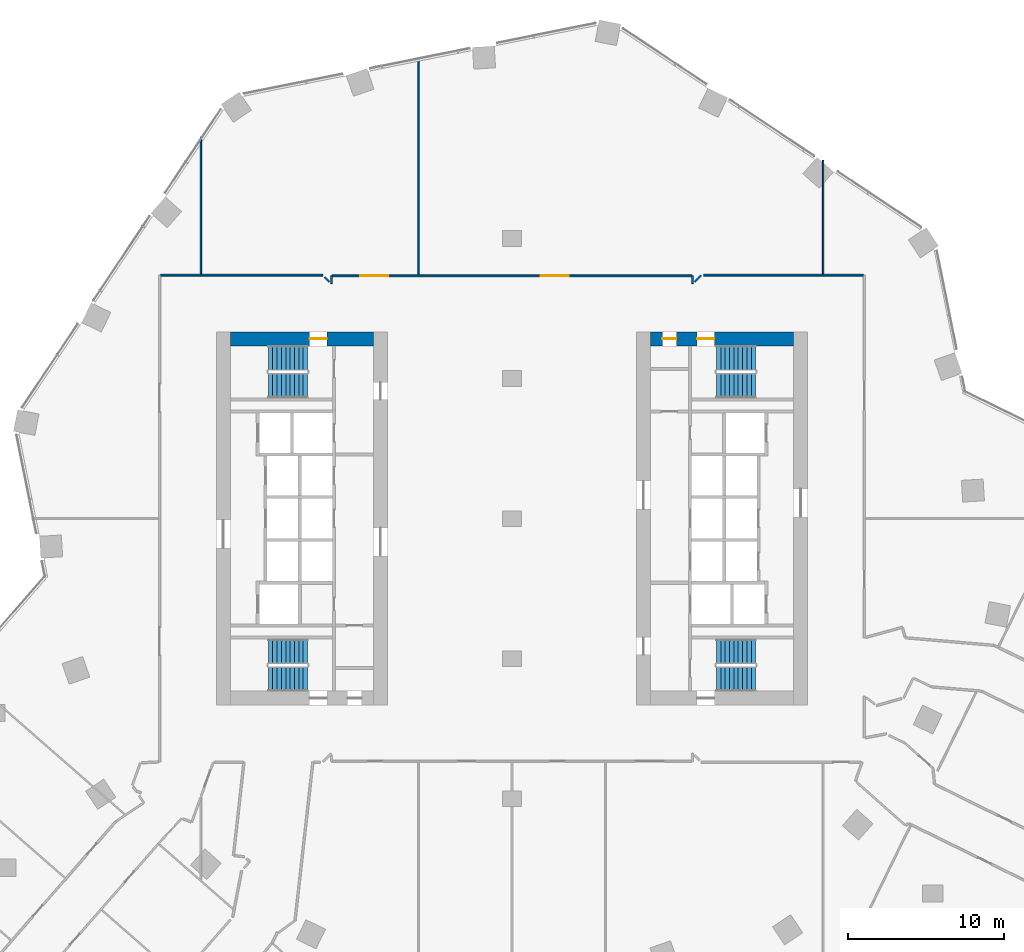
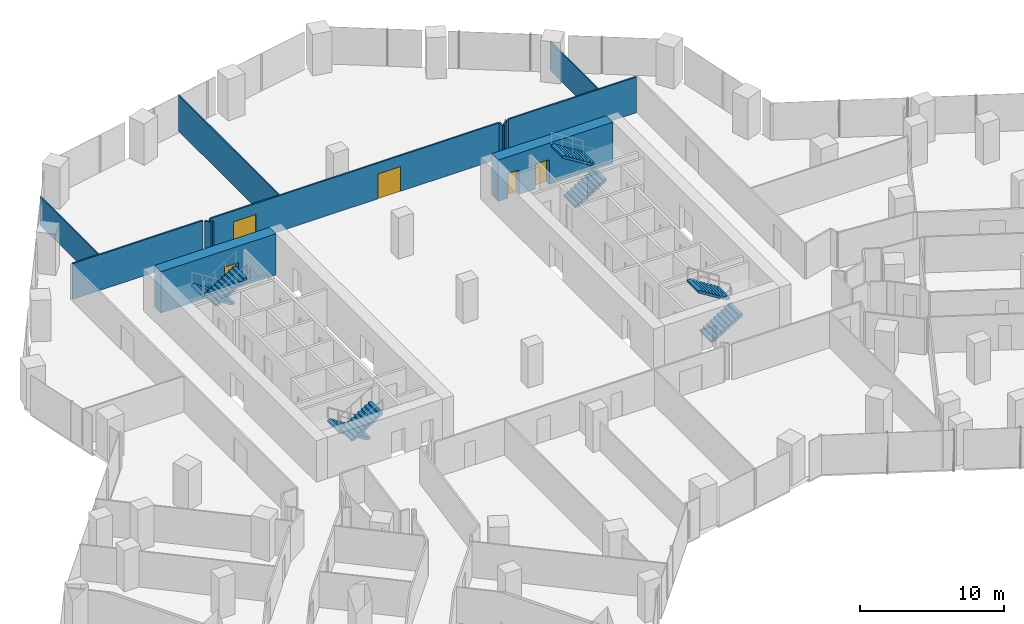
# One storey, part 32 of 38: 12 walls, 8 stair flights, 5 doors, 5 openings, 4 elements without a shape of their own.
"""IFC4 building model written with IfcOpenShell, lengths in metres."""

from ifc_helpers import new_model, si_unit, direction, frame, frame_2d, origin, place, context, subcontext, project, spatial, polyline, rectangle, outline, extrude, material, layer, layer_set, type_object, element, fill, aggregate, save


model = new_model("IFC4")

# Units and contexts
model_context = context("Model", 3, precision=1e-05, world=origin(), true_north=direction((0.0, 1.0)))
body_context = subcontext(model_context, "Body", "Model", "MODEL_VIEW")
ifc_project = project(units=[si_unit("LENGTHUNIT", "METRE"), si_unit("AREAUNIT", "SQUARE_METRE"), si_unit("VOLUMEUNIT", "CUBIC_METRE"), si_unit("PLANEANGLEUNIT", "RADIAN"), si_unit("MASSUNIT", "GRAM", prefix="KILO")], contexts=[model_context])

# Site, building, storey
site_placement = place(None, origin())
site = spatial("IfcSite", under=ifc_project, at=site_placement, CompositionType="ELEMENT")
building_placement = place(site_placement, origin())
building = spatial("IfcBuilding", under=site, at=building_placement, Name="Orlundy Tower", CompositionType="ELEMENT")
storey_placement = place(building_placement, frame((0.0, 0.0, 69.300048828125)))
storey = spatial("IfcBuildingStorey", under=building, at=storey_placement, Name="L16", CompositionType="ELEMENT", Elevation=69.300048828125)

# Wall, opening, door
ifc_material_1 = material(Name="Concrete C80/95", Category="concrete")
ifc_layer_1 = layer(ifc_material_1, 0.89990234375)
ifc_layer_set_1 = layer_set([ifc_layer_1], Name="CORE WALL 900 C80/95")
wall_type_1 = type_object("IfcWallType", Name="CORE WALL 900 C80/95", PredefinedType="SHEAR", material=ifc_layer_set_1)
wall_1_placement = place(storey_placement, frame((-18.10009765625, 11.550048828125, 0.0), z_axis=(0.0, 0.0, 1.0), x_axis=(1.0, 0.0, 0.0)))
wall_1 = element("IfcWall", 1, at=wall_1_placement, inside=storey, type_object=wall_type_1, Name="Core wall W-N L16", PredefinedType="SHEAR", context=body_context, shape_type="SweptSolid", body=[
    extrude(rectangle(XDim=9.2001953125, YDim=0.89990234375, at=frame_2d((4.60009765625, 0.0))), origin(), (0.0, 0.0, 1.0), 3.5),
])
opening_1_placement = place(wall_1_placement, frame((5.10009765625, 0.0, 0.0)))
opening_1 = element("IfcOpeningElement", 2, at=opening_1_placement, cuts=wall_1, Name="Opening 14012", PredefinedType="OPENING", context=body_context, shape_type="SweptSolid", body=[
    extrude(rectangle(XDim=1.10009765625, YDim=2.10009765625, at=frame_2d((0.550048828125, 1.050048828125))), frame((0.0, 0.4599609375, 0.0), z_axis=(0.0, -1.0, 0.0), x_axis=(1.0, 0.0, 0.0)), (0.0, 0.0, 1.0), 0.919921875),
])
ifc_material_2 = material(Name="Steel door set", Category="steel")
door_type_1 = type_object("IfcDoorType", Name="Stair Door 1100x2100", OperationType="SINGLE_SWING_LEFT", PredefinedType="DOOR", material=ifc_material_2)
door_1_placement = place(opening_1_placement, origin())
door_1 = element("IfcDoor", 3, at=door_1_placement, inside=storey, type_object=door_type_1, Name="Stair door 14012", OperationType="SINGLE_SWING_RIGHT", OverallHeight=2.10009765625, OverallWidth=1.10009765625, PredefinedType="DOOR", context=body_context, shape_type="SweptSolid", body=[
    extrude(rectangle(XDim=1.10009765625, YDim=2.10009765625, at=frame_2d((0.550048828125, 1.050048828125))), frame((0.0, 0.02490234375, 0.0), z_axis=(0.0, -1.0, 0.0), x_axis=(1.0, 0.0, 0.0)), (0.0, 0.0, 1.0), 0.050048828125),
])
fill(opening_1, door_1)

# Wall, openings, doors
wall_2_placement = place(storey_placement, frame((8.89990234375, 11.550048828125, 0.0), z_axis=(0.0, 0.0, 1.0), x_axis=(1.0, 0.0, 0.0)))
wall_2 = element("IfcWall", 4, at=wall_2_placement, inside=storey, type_object=wall_type_1, Name="Core wall E-N L16", PredefinedType="SHEAR", context=body_context, shape_type="SweptSolid", body=[
    extrude(rectangle(XDim=9.2001953125, YDim=0.89990234375, at=frame_2d((4.60009765625, 0.0))), origin(), (0.0, 0.0, 1.0), 3.5),
])
opening_2_placement = place(wall_2_placement, frame((3.0, 0.0, 0.0)))
opening_2 = element("IfcOpeningElement", 5, at=opening_2_placement, cuts=wall_2, Name="Opening 14062", PredefinedType="OPENING", context=body_context, shape_type="SweptSolid", body=[
    extrude(rectangle(XDim=1.10009765625, YDim=2.10009765625, at=frame_2d((0.550048828125, 1.050048828125))), frame((0.0, 0.4599609375, 0.0), z_axis=(0.0, -1.0, 0.0), x_axis=(1.0, 0.0, 0.0)), (0.0, 0.0, 1.0), 0.919921875),
])
opening_3_placement = place(wall_2_placement, frame((0.77001953125, 0.0, 0.0)))
opening_3 = element("IfcOpeningElement", 6, at=opening_3_placement, cuts=wall_2, Name="Opening 14064", PredefinedType="OPENING", context=body_context, shape_type="SweptSolid", body=[
    extrude(rectangle(XDim=0.89990234375, YDim=2.10009765625, at=frame_2d((0.449951171875, 1.050048828125))), frame((0.0, 0.4599609375, 0.0), z_axis=(0.0, -1.0, 0.0), x_axis=(1.0, 0.0, 0.0)), (0.0, 0.0, 1.0), 0.919921875),
])
ifc_material_3 = material(Name="Timber door set", Category="wood")
door_type_2 = type_object("IfcDoorType", Name="Room Door 900x2100", OperationType="SINGLE_SWING_LEFT", PredefinedType="DOOR", material=ifc_material_3)
door_2_placement = place(opening_3_placement, origin())
door_2 = element("IfcDoor", 7, at=door_2_placement, inside=storey, type_object=door_type_2, Name="Store door 14064", OperationType="SINGLE_SWING_LEFT", OverallHeight=2.10009765625, OverallWidth=0.89990234375, PredefinedType="DOOR", context=body_context, shape_type="SweptSolid", body=[
    extrude(rectangle(XDim=0.89990234375, YDim=2.10009765625, at=frame_2d((0.449951171875, 1.050048828125))), frame((0.0, 0.02490234375, 0.0), z_axis=(0.0, -1.0, 0.0), x_axis=(1.0, 0.0, 0.0)), (0.0, 0.0, 1.0), 0.050048828125),
])
fill(opening_3, door_2)
door_3_placement = place(opening_2_placement, origin())
door_3 = element("IfcDoor", 8, at=door_3_placement, inside=storey, type_object=door_type_1, Name="Stair door 14062", OperationType="SINGLE_SWING_LEFT", OverallHeight=2.10009765625, OverallWidth=1.10009765625, PredefinedType="DOOR", context=body_context, shape_type="SweptSolid", body=[
    extrude(rectangle(XDim=1.10009765625, YDim=2.10009765625, at=frame_2d((0.550048828125, 1.050048828125))), frame((0.0, 0.02490234375, 0.0), z_axis=(0.0, -1.0, 0.0), x_axis=(1.0, 0.0, 0.0)), (0.0, 0.0, 1.0), 0.050048828125),
])
fill(opening_2, door_3)

# Walls
ifc_material_4 = material(Name="Gypsum board partition")
ifc_layer_2 = layer(ifc_material_4, 0.10009765625)
ifc_layer_set_2 = layer_set([ifc_layer_2], Name="Floor partition 100")
wall_type_2 = type_object("IfcWallType", Name="Floor partition 100", PredefinedType="PARTITIONING", material=ifc_layer_set_2)
wall_3_placement = place(storey_placement, frame((-6.0, 15.6640625, 0.0), z_axis=(0.0, 0.0, 1.0), x_axis=(0.0, 1.0, 0.0)))
element("IfcWall", 9, at=wall_3_placement, inside=storey, type_object=wall_type_2, Name="wall-int-L16-100", PredefinedType="PARTITIONING", context=body_context, shape_type="SweptSolid", body=[
    extrude(rectangle(XDim=13.98486328125, YDim=0.10009765625, at=frame_2d((6.992431640625, 0.0))), origin(), (0.0, 0.0, 1.0), 3.030029296875),
])
ifc_material_5 = material(Name="Gypsum board partition")
ifc_layer_3 = layer(ifc_material_5, 0.10009765625)
ifc_layer_set_3 = layer_set([ifc_layer_3], Name="Floor partition 100 B")
wall_type_3 = type_object("IfcWallType", Name="Floor partition 100 B", PredefinedType="PARTITIONING", material=ifc_layer_set_3)
wall_4_placement = place(storey_placement, frame((20.0, 15.712890625, 0.0), z_axis=(0.0, 0.0, 1.0), x_axis=(0.0, 1.0, 0.0)))
element("IfcWall", 10, at=wall_4_placement, inside=storey, type_object=wall_type_3, Name="wall-int-L16-094", PredefinedType="PARTITIONING", context=body_context, shape_type="SweptSolid", body=[
    extrude(rectangle(XDim=7.31201171875, YDim=0.10009765625, at=frame_2d((3.656005859375, 0.0))), origin(), (0.0, 0.0, 1.0), 2.4189453125),
])
wall_5_placement = place(storey_placement, frame((-20.0, 15.712890625, 0.0), z_axis=(0.0, 0.0, 1.0), x_axis=(0.0, 1.0, 0.0)))
element("IfcWall", 11, at=wall_5_placement, inside=storey, type_object=wall_type_3, Name="wall-int-L16-102", PredefinedType="PARTITIONING", context=body_context, shape_type="SweptSolid", body=[
    extrude(rectangle(XDim=8.8291015625, YDim=0.10009765625, at=frame_2d((4.41455078125, 0.0))), origin(), (0.0, 0.0, 1.0), 2.4189453125),
])
ifc_material_6 = material(Name="Gypsum board partition, double layer")
ifc_layer_4 = layer(ifc_material_6, 0.125)
ifc_layer_set_4 = layer_set([ifc_layer_4], Name="Floor partition 125")
wall_type_4 = type_object("IfcWallType", Name="Floor partition 125", PredefinedType="PARTITIONING", material=ifc_layer_set_4)
wall_6_placement = place(storey_placement, frame((-12.0458984375, 15.52392578125, 0.0), z_axis=(0.0, 0.0, 1.0), x_axis=(0.707106781187, -0.707106781187, 0.0)))
element("IfcWall", 12, at=wall_6_placement, inside=storey, type_object=wall_type_4, Name="wall-int-L16-006", PredefinedType="PARTITIONING", context=body_context, shape_type="SweptSolid", body=[
    extrude(rectangle(XDim=0.449462890625, YDim=0.125, at=frame_2d((0.224609375, 0.0))), origin(), (0.0, 0.0, 1.0), 3.030029296875),
])

# Wall, openings, doors
wall_7_placement = place(storey_placement, frame((-11.537109375, 15.60107421875, 0.0), z_axis=(0.0, 0.0, 1.0), x_axis=(1.0, 0.0, 0.0)))
wall_7 = element("IfcWall", 13, at=wall_7_placement, inside=storey, type_object=wall_type_4, Name="wall-int-L16-052", PredefinedType="PARTITIONING", context=body_context, shape_type="SweptSolid", body=[
    extrude(rectangle(XDim=23.07421875, YDim=0.125, at=frame_2d((11.537109375, 0.0))), origin(), (0.0, 0.0, 1.0), 3.030029296875),
])
opening_4_placement = place(wall_7_placement, frame((13.387451171875, 0.0, 0.0)))
opening_4 = element("IfcOpeningElement", 14, at=opening_4_placement, cuts=wall_7, Name="Opening 14133", PredefinedType="OPENING", context=body_context, shape_type="SweptSolid", body=[
    extrude(rectangle(XDim=1.800048828125, YDim=2.10009765625, at=frame_2d((0.89990234375, 1.050048828125))), frame((0.0, 0.072509765625, 0.0), z_axis=(0.0, -1.0, 0.0), x_axis=(1.0, 0.0, 0.0)), (0.0, 0.0, 1.0), 0.14501953125),
])
opening_5_placement = place(wall_7_placement, frame((1.78759765625, 0.0, 0.0)))
opening_5 = element("IfcOpeningElement", 15, at=opening_5_placement, cuts=wall_7, Name="Opening 14134", PredefinedType="OPENING", context=body_context, shape_type="SweptSolid", body=[
    extrude(rectangle(XDim=1.800048828125, YDim=2.10009765625, at=frame_2d((0.89990234375, 1.050048828125))), frame((0.0, 0.072509765625, 0.0), z_axis=(0.0, -1.0, 0.0), x_axis=(1.0, 0.0, 0.0)), (0.0, 0.0, 1.0), 0.14501953125),
])
ifc_material_7 = material(Name="Timber door leaf", Category="wood")
door_type_3 = type_object("IfcDoorType", Name="Floor door double 1800 FD30S", OperationType="NOTDEFINED", PredefinedType="DOOR", material=ifc_material_7)
door_4_placement = place(opening_4_placement, origin())
door_4 = element("IfcDoor", 16, at=door_4_placement, inside=storey, type_object=door_type_3, Name="Door 14133", OperationType="DOUBLE_DOOR_SINGLE_SWING", OverallHeight=2.10009765625, OverallWidth=1.800048828125, PredefinedType="DOOR", context=body_context, shape_type="SweptSolid", body=[
    extrude(rectangle(XDim=1.800048828125, YDim=2.10009765625, at=frame_2d((0.89990234375, 1.050048828125))), frame((0.0, 0.02490234375, 0.0), z_axis=(0.0, -1.0, 0.0), x_axis=(1.0, 0.0, 0.0)), (0.0, 0.0, 1.0), 0.050048828125),
])
fill(opening_4, door_4)
door_5_placement = place(opening_5_placement, origin())
door_5 = element("IfcDoor", 17, at=door_5_placement, inside=storey, type_object=door_type_3, Name="Door 14134", OperationType="DOUBLE_DOOR_SINGLE_SWING", OverallHeight=2.10009765625, OverallWidth=1.800048828125, PredefinedType="DOOR", context=body_context, shape_type="SweptSolid", body=[
    extrude(rectangle(XDim=1.800048828125, YDim=2.10009765625, at=frame_2d((0.89990234375, 1.050048828125))), frame((0.0, 0.02490234375, 0.0), z_axis=(0.0, -1.0, 0.0), x_axis=(1.0, 0.0, 0.0)), (0.0, 0.0, 1.0), 0.050048828125),
])
fill(opening_5, door_5)

# Walls
wall_8_placement = place(storey_placement, frame((-22.5869140625, 15.65087890625, 0.0), z_axis=(0.0, 0.0, 1.0), x_axis=(1.0, 0.0, 0.0)))
element("IfcWall", 18, at=wall_8_placement, inside=storey, type_object=wall_type_4, Name="wall-int-L16-053", PredefinedType="PARTITIONING", context=body_context, shape_type="SweptSolid", body=[
    extrude(rectangle(XDim=10.427001953125, YDim=0.125, at=frame_2d((5.21337890625, 0.0))), origin(), (0.0, 0.0, 1.0), 3.030029296875),
])
wall_9_placement = place(storey_placement, frame((12.31103515625, 15.65087890625, 0.0), z_axis=(0.0, 0.0, 1.0), x_axis=(1.0, 0.0, 0.0)))
element("IfcWall", 19, at=wall_9_placement, inside=storey, type_object=wall_type_4, Name="wall-int-L16-054", PredefinedType="PARTITIONING", context=body_context, shape_type="SweptSolid", body=[
    extrude(rectangle(XDim=10.27587890625, YDim=0.125, at=frame_2d((5.137939453125, 0.0))), origin(), (0.0, 0.0, 1.0), 3.030029296875),
])
wall_10_placement = place(storey_placement, frame((11.73095703125, 15.20703125, 0.0), z_axis=(0.0, 0.0, 1.0), x_axis=(0.707311295066, 0.70690220814, 0.0)))
element("IfcWall", 20, at=wall_10_placement, inside=storey, type_object=wall_type_4, Name="wall-int-L16-060", PredefinedType="PARTITIONING", context=body_context, shape_type="SweptSolid", body=[
    extrude(rectangle(XDim=0.5966796875, YDim=0.125, at=frame_2d((0.29833984375, 0.0))), origin(), (0.0, 0.0, 1.0), 3.030029296875),
])
for number, where, z_axis, x_axis, name in (
    (21, (-11.60107421875, 15.092041015625, 0.0), (0.0, 0.0, 1.0), (0.00192214926, 0.999998152669, 0.0), "wall-int-L16-090"),
    (22, (11.60107421875, 15.092041015625, 0.0), (0.0, 0.0, 1.0), (0.0, 1.0, 0.0), "wall-int-L16-096"),
):
    element("IfcWall", number, at=place(storey_placement, frame(where, z_axis=z_axis, x_axis=x_axis)), inside=storey, type_object=wall_type_4, Name=name, PredefinedType="PARTITIONING", context=body_context, shape_type="SweptSolid", body=[
        extrude(rectangle(XDim=0.508056640625, YDim=0.125, at=frame_2d((0.25390625, 0.0))), origin(), (0.0, 0.0, 1.0), 3.030029296875),
    ])

# Stair, stair flights
ifc_material_8 = material(Name="Concrete C50/60", Category="concrete")
stair_type = type_object("IfcStairType", Name="Exit Stair 20 risers", PredefinedType="HALF_TURN_STAIR", material=ifc_material_8)
stair_1_placement = place(storey_placement, origin())
stair_1 = element("IfcStair", 23, at=stair_1_placement, inside=storey, type_object=stair_type, Name="L16 Exit Stair ST-W1", PredefinedType="HALF_TURN_STAIR")
ifc_material_9 = material(Name="Concrete C50/60", Category="concrete")
stair_flight_type = type_object("IfcStairFlightType", Name="Stair Flight 10 risers", PredefinedType="STRAIGHT", material=ifc_material_9)
stair_flight_1_placement = place(storey_placement, frame((-13.139892578125, 10.300048828125, 0.0), z_axis=(0.0, 0.0, 1.0), x_axis=(-1.0, 0.0, 0.0)))
stair_flight_1 = element("IfcStairFlight", 24, at=stair_flight_1_placement, type_object=stair_flight_type, Name="ST-W1 flight 1", NumberOfRisers=10, NumberOfTreads=9, PredefinedType="STRAIGHT", RiserHeight=0.175, TreadLength=0.28, context=body_context, shape_type="SweptSolid", body=[
    extrude(outline(polyline([(0.0, 0.0), (0.0, 0.175048828125), (0.280029296875, 0.175048828125), (0.280029296875, 0.35009765625), (0.56005859375, 0.35009765625), (0.56005859375, 0.52490234375), (0.840087890625, 0.52490234375), (0.840087890625, 0.699951171875), (1.1201171875, 0.699951171875), (1.1201171875, 0.875), (1.39990234375, 0.875), (1.39990234375, 1.050048828125), (1.679931640625, 1.050048828125), (1.679931640625, 1.22509765625), (1.9599609375, 1.22509765625), (1.9599609375, 1.39990234375), (2.239990234375, 1.39990234375), (2.239990234375, 1.574951171875), (2.52001953125, 1.574951171875), (2.52001953125, 1.75), (2.52001953125, 1.398193359375), (0.28271484375, 0.0), (0.0, 0.0)])), frame((0.0, 0.800048828125, 0.0), z_axis=(0.0, -1.0, 0.0), x_axis=(1.0, 0.0, 0.0)), (0.0, 0.0, 1.0), 1.60009765625),
])
stair_flight_2_placement = place(storey_placement, frame((-15.659912109375, 8.550048828125, 1.75), z_axis=(0.0, 0.0, 1.0), x_axis=(1.0, 0.0, 0.0)))
stair_flight_2 = element("IfcStairFlight", 25, at=stair_flight_2_placement, type_object=stair_flight_type, Name="ST-W1 flight 2", NumberOfRisers=10, NumberOfTreads=9, PredefinedType="STRAIGHT", RiserHeight=0.175, TreadLength=0.28, context=body_context, shape_type="SweptSolid", body=[
    extrude(outline(polyline([(0.0, 0.0), (0.0, 0.175048828125), (0.280029296875, 0.175048828125), (0.280029296875, 0.35009765625), (0.56005859375, 0.35009765625), (0.56005859375, 0.52490234375), (0.840087890625, 0.52490234375), (0.840087890625, 0.699951171875), (1.1201171875, 0.699951171875), (1.1201171875, 0.875), (1.39990234375, 0.875), (1.39990234375, 1.050048828125), (1.679931640625, 1.050048828125), (1.679931640625, 1.22509765625), (1.9599609375, 1.22509765625), (1.9599609375, 1.39990234375), (2.239990234375, 1.39990234375), (2.239990234375, 1.574951171875), (2.52001953125, 1.574951171875), (2.52001953125, 1.75), (2.52001953125, 1.398193359375), (0.28271484375, 0.0), (0.0, 0.0)])), frame((0.0, 0.800048828125, 0.0), z_axis=(0.0, -1.0, 0.0), x_axis=(1.0, 0.0, 0.0)), (0.0, 0.0, 1.0), 1.60009765625),
])
aggregate(stair_1, [stair_flight_1, stair_flight_2])

stair_2_placement = place(storey_placement, origin())
stair_2 = element("IfcStair", 26, at=stair_2_placement, inside=storey, type_object=stair_type, Name="L16 Exit Stair ST-W2", PredefinedType="HALF_TURN_STAIR")
stair_flight_3_placement = place(storey_placement, frame((-13.139892578125, -8.550048828125, 0.0), z_axis=(0.0, 0.0, 1.0), x_axis=(-1.0, 0.0, 0.0)))
stair_flight_3 = element("IfcStairFlight", 27, at=stair_flight_3_placement, type_object=stair_flight_type, Name="ST-W2 flight 1", NumberOfRisers=10, NumberOfTreads=9, PredefinedType="STRAIGHT", RiserHeight=0.175, TreadLength=0.28, context=body_context, shape_type="SweptSolid", body=[
    extrude(outline(polyline([(0.0, 0.0), (0.0, 0.175048828125), (0.280029296875, 0.175048828125), (0.280029296875, 0.35009765625), (0.56005859375, 0.35009765625), (0.56005859375, 0.52490234375), (0.840087890625, 0.52490234375), (0.840087890625, 0.699951171875), (1.1201171875, 0.699951171875), (1.1201171875, 0.875), (1.39990234375, 0.875), (1.39990234375, 1.050048828125), (1.679931640625, 1.050048828125), (1.679931640625, 1.22509765625), (1.9599609375, 1.22509765625), (1.9599609375, 1.39990234375), (2.239990234375, 1.39990234375), (2.239990234375, 1.574951171875), (2.52001953125, 1.574951171875), (2.52001953125, 1.75), (2.52001953125, 1.398193359375), (0.28271484375, 0.0), (0.0, 0.0)])), frame((0.0, 0.800048828125, 0.0), z_axis=(0.0, -1.0, 0.0), x_axis=(1.0, 0.0, 0.0)), (0.0, 0.0, 1.0), 1.60009765625),
])
stair_flight_4_placement = place(storey_placement, frame((-15.659912109375, -10.300048828125, 1.75), z_axis=(0.0, 0.0, 1.0), x_axis=(1.0, 0.0, 0.0)))
stair_flight_4 = element("IfcStairFlight", 28, at=stair_flight_4_placement, type_object=stair_flight_type, Name="ST-W2 flight 2", NumberOfRisers=10, NumberOfTreads=9, PredefinedType="STRAIGHT", RiserHeight=0.175, TreadLength=0.28, context=body_context, shape_type="SweptSolid", body=[
    extrude(outline(polyline([(0.0, 0.0), (0.0, 0.175048828125), (0.280029296875, 0.175048828125), (0.280029296875, 0.35009765625), (0.56005859375, 0.35009765625), (0.56005859375, 0.52490234375), (0.840087890625, 0.52490234375), (0.840087890625, 0.699951171875), (1.1201171875, 0.699951171875), (1.1201171875, 0.875), (1.39990234375, 0.875), (1.39990234375, 1.050048828125), (1.679931640625, 1.050048828125), (1.679931640625, 1.22509765625), (1.9599609375, 1.22509765625), (1.9599609375, 1.39990234375), (2.239990234375, 1.39990234375), (2.239990234375, 1.574951171875), (2.52001953125, 1.574951171875), (2.52001953125, 1.75), (2.52001953125, 1.398193359375), (0.28271484375, 0.0), (0.0, 0.0)])), frame((0.0, 0.800048828125, 0.0), z_axis=(0.0, -1.0, 0.0), x_axis=(1.0, 0.0, 0.0)), (0.0, 0.0, 1.0), 1.60009765625),
])
aggregate(stair_2, [stair_flight_3, stair_flight_4])

stair_3_placement = place(storey_placement, origin())
stair_3 = element("IfcStair", 29, at=stair_3_placement, inside=storey, type_object=stair_type, Name="L16 Exit Stair ST-E1", PredefinedType="HALF_TURN_STAIR")
stair_flight_5_placement = place(storey_placement, frame((13.139892578125, -10.300048828125, 0.0), z_axis=(0.0, 0.0, 1.0), x_axis=(1.0, 0.0, 0.0)))
stair_flight_5 = element("IfcStairFlight", 30, at=stair_flight_5_placement, type_object=stair_flight_type, Name="ST-E1 flight 1", NumberOfRisers=10, NumberOfTreads=9, PredefinedType="STRAIGHT", RiserHeight=0.175, TreadLength=0.28, context=body_context, shape_type="SweptSolid", body=[
    extrude(outline(polyline([(0.0, 0.0), (0.0, 0.175048828125), (0.280029296875, 0.175048828125), (0.280029296875, 0.35009765625), (0.56005859375, 0.35009765625), (0.56005859375, 0.52490234375), (0.840087890625, 0.52490234375), (0.840087890625, 0.699951171875), (1.1201171875, 0.699951171875), (1.1201171875, 0.875), (1.39990234375, 0.875), (1.39990234375, 1.050048828125), (1.679931640625, 1.050048828125), (1.679931640625, 1.22509765625), (1.9599609375, 1.22509765625), (1.9599609375, 1.39990234375), (2.239990234375, 1.39990234375), (2.239990234375, 1.574951171875), (2.52001953125, 1.574951171875), (2.52001953125, 1.75), (2.52001953125, 1.398193359375), (0.28271484375, 0.0), (0.0, 0.0)])), frame((0.0, 0.800048828125, 0.0), z_axis=(0.0, -1.0, 0.0), x_axis=(1.0, 0.0, 0.0)), (0.0, 0.0, 1.0), 1.60009765625),
])
stair_flight_6_placement = place(storey_placement, frame((15.659912109375, -8.550048828125, 1.75), z_axis=(0.0, 0.0, 1.0), x_axis=(-1.0, 0.0, 0.0)))
stair_flight_6 = element("IfcStairFlight", 31, at=stair_flight_6_placement, type_object=stair_flight_type, Name="ST-E1 flight 2", NumberOfRisers=10, NumberOfTreads=9, PredefinedType="STRAIGHT", RiserHeight=0.175, TreadLength=0.28, context=body_context, shape_type="SweptSolid", body=[
    extrude(outline(polyline([(0.0, 0.0), (0.0, 0.175048828125), (0.280029296875, 0.175048828125), (0.280029296875, 0.35009765625), (0.56005859375, 0.35009765625), (0.56005859375, 0.52490234375), (0.840087890625, 0.52490234375), (0.840087890625, 0.699951171875), (1.1201171875, 0.699951171875), (1.1201171875, 0.875), (1.39990234375, 0.875), (1.39990234375, 1.050048828125), (1.679931640625, 1.050048828125), (1.679931640625, 1.22509765625), (1.9599609375, 1.22509765625), (1.9599609375, 1.39990234375), (2.239990234375, 1.39990234375), (2.239990234375, 1.574951171875), (2.52001953125, 1.574951171875), (2.52001953125, 1.75), (2.52001953125, 1.398193359375), (0.28271484375, 0.0), (0.0, 0.0)])), frame((0.0, 0.800048828125, 0.0), z_axis=(0.0, -1.0, 0.0), x_axis=(1.0, 0.0, 0.0)), (0.0, 0.0, 1.0), 1.60009765625),
])
aggregate(stair_3, [stair_flight_5, stair_flight_6])

stair_4_placement = place(storey_placement, origin())
stair_4 = element("IfcStair", 32, at=stair_4_placement, inside=storey, type_object=stair_type, Name="L16 Exit Stair ST-E2", PredefinedType="HALF_TURN_STAIR")
stair_flight_7_placement = place(storey_placement, frame((13.139892578125, 8.550048828125, 0.0), z_axis=(0.0, 0.0, 1.0), x_axis=(1.0, 0.0, 0.0)))
stair_flight_7 = element("IfcStairFlight", 33, at=stair_flight_7_placement, type_object=stair_flight_type, Name="ST-E2 flight 1", NumberOfRisers=10, NumberOfTreads=9, PredefinedType="STRAIGHT", RiserHeight=0.175, TreadLength=0.28, context=body_context, shape_type="SweptSolid", body=[
    extrude(outline(polyline([(0.0, 0.0), (0.0, 0.175048828125), (0.280029296875, 0.175048828125), (0.280029296875, 0.35009765625), (0.56005859375, 0.35009765625), (0.56005859375, 0.52490234375), (0.840087890625, 0.52490234375), (0.840087890625, 0.699951171875), (1.1201171875, 0.699951171875), (1.1201171875, 0.875), (1.39990234375, 0.875), (1.39990234375, 1.050048828125), (1.679931640625, 1.050048828125), (1.679931640625, 1.22509765625), (1.9599609375, 1.22509765625), (1.9599609375, 1.39990234375), (2.239990234375, 1.39990234375), (2.239990234375, 1.574951171875), (2.52001953125, 1.574951171875), (2.52001953125, 1.75), (2.52001953125, 1.398193359375), (0.28271484375, 0.0), (0.0, 0.0)])), frame((0.0, 0.800048828125, 0.0), z_axis=(0.0, -1.0, 0.0), x_axis=(1.0, 0.0, 0.0)), (0.0, 0.0, 1.0), 1.60009765625),
])
stair_flight_8_placement = place(storey_placement, frame((15.659912109375, 10.300048828125, 1.75), z_axis=(0.0, 0.0, 1.0), x_axis=(-1.0, 0.0, 0.0)))
stair_flight_8 = element("IfcStairFlight", 34, at=stair_flight_8_placement, type_object=stair_flight_type, Name="ST-E2 flight 2", NumberOfRisers=10, NumberOfTreads=9, PredefinedType="STRAIGHT", RiserHeight=0.175, TreadLength=0.28, context=body_context, shape_type="SweptSolid", body=[
    extrude(outline(polyline([(0.0, 0.0), (0.0, 0.175048828125), (0.280029296875, 0.175048828125), (0.280029296875, 0.35009765625), (0.56005859375, 0.35009765625), (0.56005859375, 0.52490234375), (0.840087890625, 0.52490234375), (0.840087890625, 0.699951171875), (1.1201171875, 0.699951171875), (1.1201171875, 0.875), (1.39990234375, 0.875), (1.39990234375, 1.050048828125), (1.679931640625, 1.050048828125), (1.679931640625, 1.22509765625), (1.9599609375, 1.22509765625), (1.9599609375, 1.39990234375), (2.239990234375, 1.39990234375), (2.239990234375, 1.574951171875), (2.52001953125, 1.574951171875), (2.52001953125, 1.75), (2.52001953125, 1.398193359375), (0.28271484375, 0.0), (0.0, 0.0)])), frame((0.0, 0.800048828125, 0.0), z_axis=(0.0, -1.0, 0.0), x_axis=(1.0, 0.0, 0.0)), (0.0, 0.0, 1.0), 1.60009765625),
])
aggregate(stair_4, [stair_flight_7, stair_flight_8])

save(model, "model.ifc")
